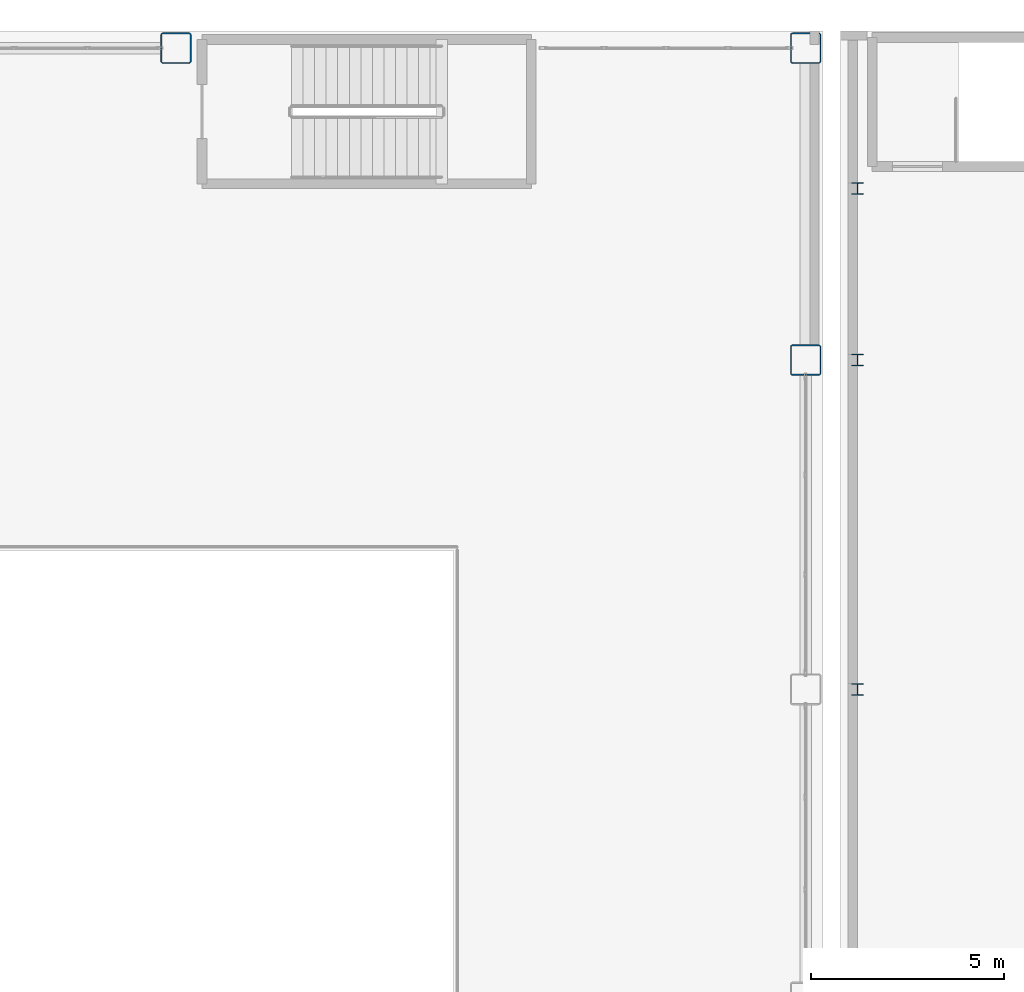
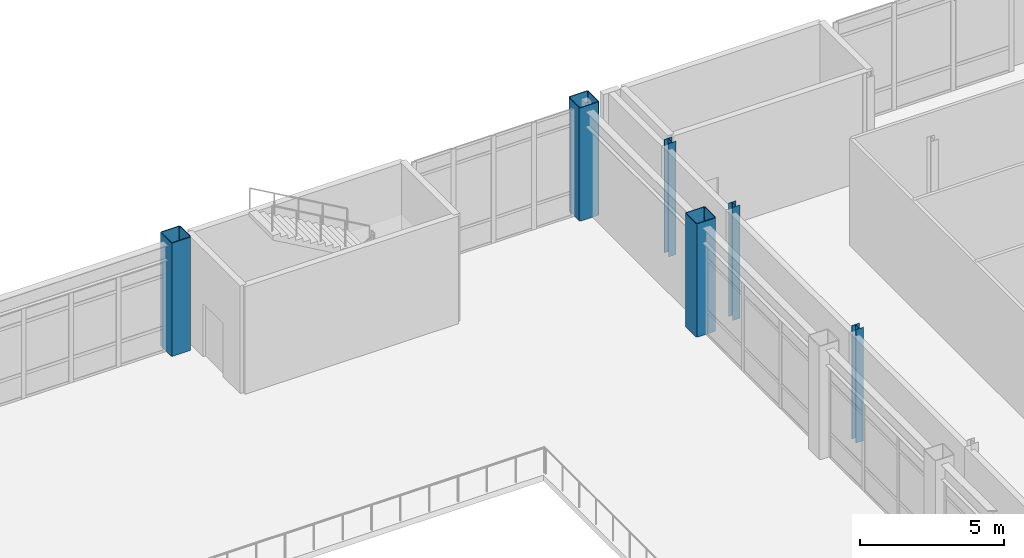
# One storey, part 9 of 154: 6 columns.
"""IFC4 building model written with IfcOpenShell, lengths in metres."""

from ifc_helpers import new_model, si_unit, direction, frame, origin, origin_2d, place, context, subcontext, project, spatial, hollow_rectangle, i_section, extrude, material, material_profile, profile_set, type_object, element, save


model = new_model("IFC4")

# Units and contexts
model_context = context("Model", 3, precision=1e-05, world=origin(), true_north=direction((0.0, 1.0)))
body_context = subcontext(model_context, "Body", "Model", "MODEL_VIEW")
ifc_project = project(units=[si_unit("LENGTHUNIT", "METRE"), si_unit("AREAUNIT", "SQUARE_METRE"), si_unit("VOLUMEUNIT", "CUBIC_METRE"), si_unit("PLANEANGLEUNIT", "RADIAN"), si_unit("MASSUNIT", "GRAM", prefix="KILO")], contexts=[model_context])

# Site, building, storey
site_placement = place(None, origin())
site = spatial("IfcSite", under=ifc_project, at=site_placement, CompositionType="ELEMENT")
building_placement = place(site_placement, origin())
building = spatial("IfcBuilding", under=site, at=building_placement, Name="Kazehara Bluff Congress Hotel", CompositionType="ELEMENT")
storey_placement = place(building_placement, frame((0.0, 0.0, 10.199951171875)))
storey = spatial("IfcBuildingStorey", under=building, at=storey_placement, Name="L02", CompositionType="ELEMENT", Elevation=10.199951171875)

# Columns
ifc_material_1 = material(Name="Steel BCR295", Category="steel")
ifc_material_profile_1 = material_profile(ifc_material_1, hollow_rectangle(XDim=0.800048828125, YDim=0.800048828125, WallThickness=0.031982421875, InnerFilletRadius=0.031982421875, OuterFilletRadius=0.06396484375, at=origin_2d()))
ifc_profile_set_1 = profile_set([ifc_material_profile_1], Name="Steel BCR295")
column_type_1 = type_object("IfcColumnType", Name="TP-C-02", PredefinedType="COLUMN", material=ifc_profile_set_1)
for number, where, z_axis, x_axis, name in (
    (1, (42.0, 113.550048828125, 0.0), (0.0, 0.0, 1.0), (1.0, 0.0, 0.0), "L02 column C-02 (42.00,113.55)"),
    (2, (58.35009765625, 105.449951171875, 0.0), (0.0, 0.0, 1.0), (1.0, 0.0, 0.0), "L02 column C-02 (58.35,105.45)"),
    (3, (58.35009765625, 113.550048828125, 0.0), (0.0, 0.0, 1.0), (1.0, 0.0, 0.0), "L02 column C-02 (58.35,113.55)"),
):
    element("IfcColumn", number, at=place(storey_placement, frame(where, z_axis=z_axis, x_axis=x_axis)), inside=storey, type_object=column_type_1, Name=name, PredefinedType="COLUMN", context=body_context, shape_type="SweptSolid", body=[
        extrude(hollow_rectangle(XDim=0.800048828125, YDim=0.800048828125, WallThickness=0.031982421875, InnerFilletRadius=0.031982421875, OuterFilletRadius=0.06396484375, at=origin_2d()), origin(), (0.0, 0.0, 1.0), 4.800048828125),
    ])
ifc_material_2 = material(Name="Steel SN400B", Category="steel")
ifc_material_profile_2 = material_profile(ifc_material_2, i_section(OverallWidth=0.300048828125, OverallDepth=0.300048828125, WebThickness=0.010009765625, FlangeThickness=0.014892578125, FilletRadius=0.012939453125, at=origin_2d()))
ifc_profile_set_2 = profile_set([ifc_material_profile_2], Name="Steel SN400B")
column_type_2 = type_object("IfcColumnType", Name="TP-C-11", PredefinedType="COLUMN", material=ifc_profile_set_2)
for number, where, z_axis, x_axis, name in (
    (4, (59.699951171875, 96.89990234375, 0.0), (0.0, 0.0, 1.0), (1.0, 0.0, 0.0), "L02 column C-11 (59.70,96.90)"),
    (5, (59.699951171875, 105.449951171875, 0.0), (0.0, 0.0, 1.0), (1.0, 0.0, 0.0), "L02 column C-11 (59.70,105.45)"),
    (6, (59.699951171875, 109.89990234375, 0.0), (0.0, 0.0, 1.0), (1.0, 0.0, 0.0), "L02 column C-11 (59.70,109.90)"),
):
    element("IfcColumn", number, at=place(storey_placement, frame(where, z_axis=z_axis, x_axis=x_axis)), inside=storey, type_object=column_type_2, Name=name, PredefinedType="COLUMN", context=body_context, shape_type="SweptSolid", body=[
        extrude(i_section(OverallWidth=0.300048828125, OverallDepth=0.300048828125, WebThickness=0.010009765625, FlangeThickness=0.014892578125, FilletRadius=0.012939453125, at=origin_2d()), origin(), (0.0, 0.0, 1.0), 4.800048828125),
    ])

save(model, "model.ifc")
